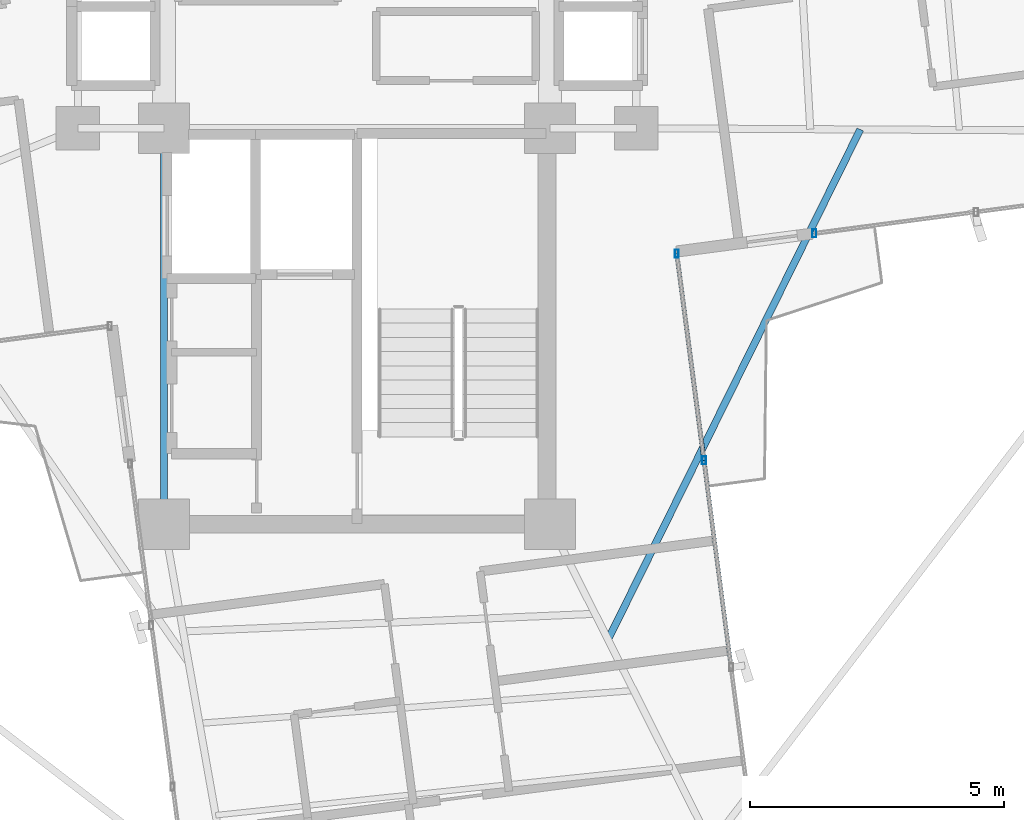
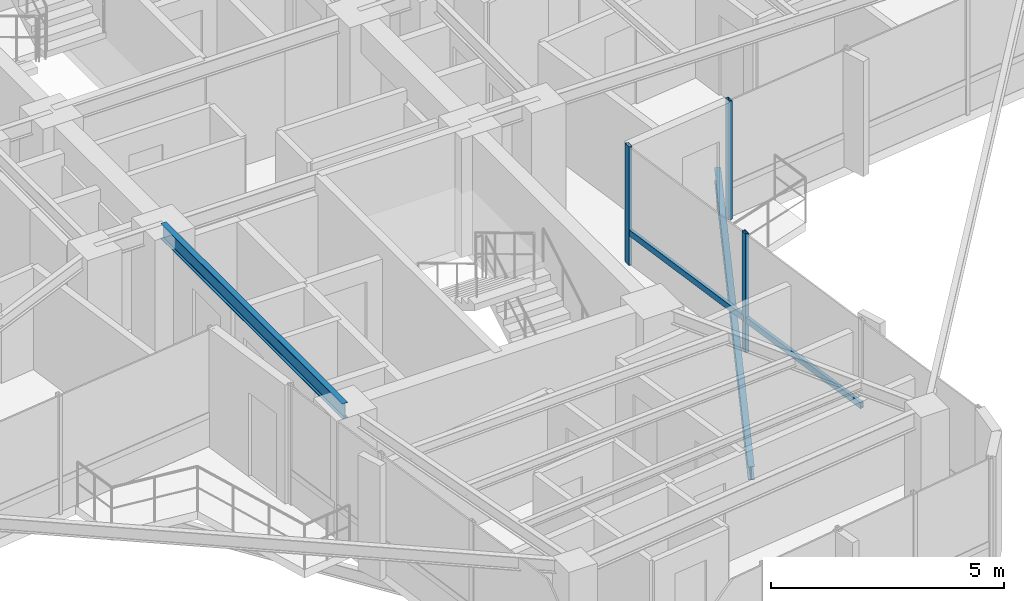
# One storey, part 5 of 23: 5 members, 2 beams, 2 elements without a shape of their own.
"""IFC4 building model written with IfcOpenShell, lengths in metres."""

import ifcopenshell
import ifcopenshell.guid

model = None  # the IFC model being written
_history = None  # IfcOwnerHistory: only IFC2X3 demands one
_inside = {}  # id of a spatial element -> (the spatial element, [elements in it])
_under = {}  # id of a project, library or spatial element -> (it, [spatial elements below it])
_declared = {}  # id of a project -> (the project, [libraries it declares])
_typed = {}  # id of a type object -> (the type object, [elements of that type])
_made_of = {}  # id of a material, layer set ... -> (it, [elements and type objects made of it])


def new_model(schema):
    """Start an empty IFC model of exactly this schema.

    Asked for "IFC4X3", IfcOpenShell would pick the latest addendum, in which some entities
    have other attributes; the version numbers below select the first issue.
    IFC2X3 requires an IfcOwnerHistory on every rooted entity: one is made here for all.
    """
    global model, _history
    if schema == "IFC4X3":
        model = ifcopenshell.file(schema_version=(4, 3, 0, 0))
    else:
        model = ifcopenshell.file(schema=schema)
    _inside.clear()
    _under.clear()
    _declared.clear()
    _typed.clear()
    _made_of.clear()
    _history = None
    if model.schema == "IFC2X3":
        org = make("IfcOrganization", Name="unknown")
        user = make(
            "IfcPersonAndOrganization",
            ThePerson=make("IfcPerson", FamilyName="unknown"),
            TheOrganization=org,
        )
        app = make(
            "IfcApplication",
            ApplicationDeveloper=org,
            Version="unknown",
            ApplicationFullName="unknown",
            ApplicationIdentifier="unknown",
        )
        _history = make(
            "IfcOwnerHistory",
            OwningUser=user,
            OwningApplication=app,
            ChangeAction="ADDED",
            CreationDate=0,
        )
    return model


def make(cls, **values):
    """One entity of the class cls with the attributes given. An attribute that is None is left unset."""
    return model.create_entity(
        cls, **{name: value for name, value in values.items() if value is not None}
    )


def rooted(cls, **values):
    """An entity with a GlobalId (a new one), such as an element, a storey or a relation."""
    return make(cls, GlobalId=ifcopenshell.guid.new(), OwnerHistory=_history, **values)


def si_unit(unit_type, name, prefix=None):
    """IfcSIUnit, for example si_unit("LENGTHUNIT", "METRE", prefix="MILLI")."""
    return make("IfcSIUnit", UnitType=unit_type, Prefix=prefix, Name=name)


def assignment(units):
    """IfcUnitAssignment: the units of a project."""
    return None if units is None else make("IfcUnitAssignment", Units=units)


def point(xyz):
    """IfcCartesianPoint."""
    return None if xyz is None else make("IfcCartesianPoint", Coordinates=xyz)


def direction(xyz):
    """IfcDirection."""
    return None if xyz is None else make("IfcDirection", DirectionRatios=xyz)


def frame(location, z_axis=None, x_axis=None):
    """IfcAxis2Placement3D, a coordinate frame: its origin and axes. An axis left out is left unset."""
    return make(
        "IfcAxis2Placement3D",
        Location=point(location),
        Axis=direction(z_axis),
        RefDirection=direction(x_axis),
    )


def frame_2d(location, x_axis=None):
    """IfcAxis2Placement2D, a coordinate frame in the plane: its origin and x axis."""
    return make(
        "IfcAxis2Placement2D", Location=point(location), RefDirection=direction(x_axis)
    )


def origin():
    """The frame at (0, 0, 0) with its axes left unset."""
    return frame((0.0, 0.0, 0.0))


def origin_2d():
    """The frame at (0, 0) in the plane with its x axis left unset."""
    return frame_2d((0.0, 0.0))


def place(relative_to, where):
    """IfcLocalPlacement: puts the frame where relative to a parent placement (None: the world)."""
    return make(
        "IfcLocalPlacement", PlacementRelTo=relative_to, RelativePlacement=where
    )


def context(
    kind, dimensions, precision=None, world=None, true_north=None, identifier=None
):
    """IfcGeometricRepresentationContext, for example the 3D "Model" context."""
    return make(
        "IfcGeometricRepresentationContext",
        ContextIdentifier=identifier,
        ContextType=kind,
        CoordinateSpaceDimension=dimensions,
        Precision=precision,
        WorldCoordinateSystem=world,
        TrueNorth=true_north,
    )


def subcontext(parent, identifier, kind, view, scale=None):
    """IfcGeometricRepresentationSubContext, for example "Body" below "Model"."""
    return make(
        "IfcGeometricRepresentationSubContext",
        ContextIdentifier=identifier,
        ContextType=kind,
        ParentContext=parent,
        TargetScale=scale,
        TargetView=view,
    )


def project(units=None, contexts=None):
    """IfcProject with its units and contexts."""
    return rooted(
        "IfcProject",
        Name="project",
        RepresentationContexts=contexts,
        UnitsInContext=assignment(units),
    )


def spatial(cls, under=None, at=None, **own):
    """A site, building, storey or space (cls), placed at a placement, below another one or the project."""
    s = rooted(cls, ObjectPlacement=at, **own)
    if under is not None:
        _under.setdefault(under.id(), (under, []))[1].append(s)
    return s


def profile(cls, at=None, kind="AREA", **sizes):
    """A parametric profile (cls). Its sizes go by their IFC names, for example OverallWidth=200.0."""
    return make(cls, ProfileType=kind, Position=at, **sizes)


def hollow_rectangle(**sizes):
    """IfcRectangleHollowProfileDef."""
    return profile("IfcRectangleHollowProfileDef", **sizes)


def i_section(**sizes):
    """IfcIShapeProfileDef."""
    return profile("IfcIShapeProfileDef", **sizes)


def extrude(swept, where, along, depth):
    """IfcExtrudedAreaSolid: the profile swept, set in the frame where, extruded along a direction by depth."""
    return make(
        "IfcExtrudedAreaSolid",
        SweptArea=swept,
        Position=where,
        ExtrudedDirection=direction(along),
        Depth=depth,
    )


def shape(context_of_items, identifier, shape_type, items):
    """IfcShapeRepresentation: the items that make up one representation, for example the "Body"."""
    return make(
        "IfcShapeRepresentation",
        ContextOfItems=context_of_items,
        RepresentationIdentifier=identifier,
        RepresentationType=shape_type,
        Items=items,
    )


def source(mapping_origin, context_of_items, identifier, shape_type, items):
    """IfcRepresentationMap: a shape defined once, which mapped items show again and again."""
    return make(
        "IfcRepresentationMap",
        MappingOrigin=mapping_origin,
        MappedRepresentation=shape(context_of_items, identifier, shape_type, items),
    )


def transform(
    local_origin,
    x_axis=None,
    y_axis=None,
    z_axis=None,
    scale=None,
    scale2=None,
    scale3=None,
    uniform=True,
):
    """IfcCartesianTransformationOperator3D, or its non-uniform kind. x_axis, y_axis, z_axis: its Axis1, 2, 3."""
    if uniform:
        return make(
            "IfcCartesianTransformationOperator3D",
            Axis1=direction(x_axis),
            Axis2=direction(y_axis),
            LocalOrigin=point(local_origin),
            Scale=scale,
            Axis3=direction(z_axis),
        )
    return make(
        "IfcCartesianTransformationOperator3DnonUniform",
        Axis1=direction(x_axis),
        Axis2=direction(y_axis),
        LocalOrigin=point(local_origin),
        Scale=scale,
        Axis3=direction(z_axis),
        Scale2=scale2,
        Scale3=scale3,
    )


def mapped(mapping_source, mapping_target):
    """IfcMappedItem: shows the shape of a source again, moved by a transform."""
    return make(
        "IfcMappedItem", MappingSource=mapping_source, MappingTarget=mapping_target
    )


def material(Name=None, Category=None):
    """IfcMaterial."""
    return make("IfcMaterial", Name=Name, Category=Category)


def material_profile(
    of_material, cross_section, Name=None, Category=None, Priority=None
):
    """IfcMaterialProfile: a cross section and its material."""
    return make(
        "IfcMaterialProfile",
        Name=Name,
        Material=of_material,
        Profile=cross_section,
        Priority=Priority,
        Category=Category,
    )


def profile_set(profiles, Name=None, composite=None):
    """IfcMaterialProfileSet."""
    return make(
        "IfcMaterialProfileSet",
        Name=Name,
        MaterialProfiles=profiles,
        CompositeProfile=composite,
    )


def made_of(thing, what):
    """Note that an element or type object is made of a material, layer set ...; save() writes the relation."""
    if what is not None:
        _made_of.setdefault(what.id(), (what, []))[1].append(thing)
    return thing


def type_object(cls, material=None, **own):
    """A type object (cls), such as IfcWallType, which elements share."""
    return made_of(rooted(cls, **own), material)


def element(
    cls,
    number,
    at=None,
    inside=None,
    cuts=None,
    type_object=None,
    material=None,
    context=None,
    identifier="Body",
    shape_type=None,
    held_by="IfcProductDefinitionShape",
    body=None,
    shapes=None,
    **own,
):
    """One element of the class cls, such as IfcWall. Its Tag is "e" and its number.

    at: its placement. inside: the storey or other place that contains it. cuts: it is an
    opening in that element (IfcRelVoidsElement). A single representation is given by context,
    identifier, shape_type and body (its items); several are given by shapes. held_by: the class
    of the entity that holds the representations. save() writes the other relations.
    """
    e = rooted(cls, Tag="e%d" % number, ObjectPlacement=at, **own)
    if body is not None:
        shapes = [shape(context, identifier, shape_type, body)]
    if shapes is not None:
        e.Representation = make(held_by, Representations=shapes)
    if inside is not None:
        _inside.setdefault(inside.id(), (inside, []))[1].append(e)
    if cuts is not None:
        rooted(
            "IfcRelVoidsElement", RelatingBuildingElement=cuts, RelatedOpeningElement=e
        )
    if type_object is not None:
        _typed.setdefault(type_object.id(), (type_object, []))[1].append(e)
    return made_of(e, material)


def aggregate(whole, parts):
    """IfcRelAggregates: a whole, such as a stair, and the parts it consists of."""
    return rooted("IfcRelAggregates", RelatingObject=whole, RelatedObjects=parts)


def save(model, path):
    """Write the relations noted so far, then the file.

    IfcRelAggregates (storeys below a building ...), IfcRelContainedInSpatialStructure (elements
    in a storey), IfcRelDefinesByType, IfcRelAssociatesMaterial and IfcRelDeclares: one each for
    every whole, place, type object, material and project.
    """
    for whole, parts in _under.values():
        aggregate(whole, parts)
    for where, things in _inside.values():
        rooted(
            "IfcRelContainedInSpatialStructure",
            RelatedElements=things,
            RelatingStructure=where,
        )
    for kind, things in _typed.values():
        rooted("IfcRelDefinesByType", RelatedObjects=things, RelatingType=kind)
    for what, things in _made_of.values():
        rooted("IfcRelAssociatesMaterial", RelatedObjects=things, RelatingMaterial=what)
    for by, libraries in _declared.values():
        rooted("IfcRelDeclares", RelatingContext=by, RelatedDefinitions=libraries)
    model.write(path)


model = new_model("IFC4")

# Units and contexts
model_context = context("Model", 3, precision=1e-05, world=origin(), true_north=direction((0.0, 1.0)))
body_context = subcontext(model_context, "Body", "Model", "MODEL_VIEW")
ifc_project = project(units=[si_unit("LENGTHUNIT", "METRE"), si_unit("AREAUNIT", "SQUARE_METRE"), si_unit("VOLUMEUNIT", "CUBIC_METRE"), si_unit("PLANEANGLEUNIT", "RADIAN"), si_unit("MASSUNIT", "GRAM", prefix="KILO")], contexts=[model_context])

# Site, building, storey
site_placement = place(None, origin())
site = spatial("IfcSite", under=ifc_project, at=site_placement, CompositionType="ELEMENT")
building_placement = place(site_placement, origin())
building = spatial("IfcBuilding", under=site, at=building_placement, Name="Sahyath Konkavel Grand Hotel", CompositionType="ELEMENT")
storey_placement = place(building_placement, frame((0.0, 0.0, 251.199951171875)))
storey = spatial("IfcBuildingStorey", under=building, at=storey_placement, Name="L70", CompositionType="ELEMENT", Elevation=251.199951171875)

# Beam
ifc_material_1 = material(Name="Steel E350", Category="steel")
ifc_material_profile_1 = material_profile(ifc_material_1, i_section(OverallWidth=0.139892578125, OverallDepth=0.39990234375, WebThickness=0.0087890625, FlangeThickness=0.01611328125, FilletRadius=0.013916015625, at=origin_2d()), Name="ISMB 400")
ifc_profile_set_1 = profile_set([ifc_material_profile_1], Name="Steel E350")
beam_type_1 = type_object("IfcBeamType", Name="BM-ISMB400", PredefinedType="BEAM", material=ifc_profile_set_1)
shared_shape_1 = source(origin(), body_context, "Body", "SweptSolid", [
    extrude(i_section(OverallWidth=0.139892578125, OverallDepth=0.39990234375, WebThickness=0.0087890625, FlangeThickness=0.01611328125, FilletRadius=0.013916015625, at=origin_2d()), origin(), (0.0, 0.0, 1.0), 7.800048828125),
])
beam_1_placement = place(storey_placement, frame((-3.800048828125, -10.199951171875, 2.91015625), z_axis=(0.0, 1.0, 0.0), x_axis=(-1.0, 0.0, 0.0)))
element("IfcBeam", 1, at=beam_1_placement, inside=storey, type_object=beam_type_1, Name="str:bm:L70:SC-W", PredefinedType="BEAM", context=body_context, shape_type="MappedRepresentation", body=[
    mapped(shared_shape_1, transform((0.0, 0.0, 0.0), scale=1.0)),
])

# Curtain wall, member
ifc_material_2 = material(Name="Anodised Bronze Aluminium & Low-E Glazing", Category="aluminium")
curtain_wall_type = type_object("IfcCurtainWallType", Name="CW-ZONE4", PredefinedType="NOTDEFINED", material=ifc_material_2)
curtain_wall_1_placement = place(storey_placement, origin())
curtain_wall_1 = element("IfcCurtainWall", 2, at=curtain_wall_1_placement, inside=storey, type_object=curtain_wall_type, Name="L70 Unitised Curtain Wall F0", PredefinedType="NOTDEFINED")
ifc_material_3 = material(Name="Anodised Bronze Aluminium", Category="aluminium")
ifc_material_profile_2 = material_profile(ifc_material_3, hollow_rectangle(XDim=0.080078125, YDim=0.159912109375, WallThickness=0.006103515625, at=origin_2d()), Name="RHS 160x80x6")
ifc_profile_set_2 = profile_set([ifc_material_profile_2], Name="Anodised Bronze Aluminium")
member_type_1 = type_object("IfcMemberType", Name="CW-MUL-160", PredefinedType="MULLION", material=ifc_profile_set_2)
shared_shape_2 = source(origin(), body_context, "Body", "SweptSolid", [
    extrude(hollow_rectangle(XDim=0.080078125, YDim=0.159912109375, WallThickness=0.006103515625, at=origin_2d()), origin(), (0.0, 0.0, 1.0), 3.110107421875),
])
member_1_placement = place(storey_placement, frame((9.008544921875, -4.470458984375, 0.0), z_axis=(0.0, 0.0, 1.0), x_axis=(1.0, 0.0, 0.0)))
member_1 = element("IfcMember", 3, at=member_1_placement, type_object=member_type_1, Name="L70 Curtain Wall Mullion F0-0", PredefinedType="MULLION", context=body_context, shape_type="MappedRepresentation", body=[
    mapped(shared_shape_2, transform((0.0, 0.0, 0.0), scale=1.0)),
])
aggregate(curtain_wall_1, [member_1])

# Curtain wall, members
curtain_wall_2_placement = place(storey_placement, origin())
curtain_wall_2 = element("IfcCurtainWall", 4, at=curtain_wall_2_placement, inside=storey, type_object=curtain_wall_type, Name="L70 Unitised Curtain Wall F31", PredefinedType="NOTDEFINED")
member_2_placement = place(storey_placement, frame((6.83349609375, -8.942138671875, 0.0), z_axis=(0.0, 0.0, 1.0), x_axis=(1.0, 0.0, 0.0)))
member_2 = element("IfcMember", 5, at=member_2_placement, type_object=member_type_1, Name="L70 Curtain Wall Mullion F31-2", PredefinedType="MULLION", context=body_context, shape_type="MappedRepresentation", body=[
    mapped(shared_shape_2, transform((0.0, 0.0, 0.0), scale=1.0)),
])
member_3_placement = place(storey_placement, frame((6.297119140625, -4.86767578125, 0.0), z_axis=(0.0, 0.0, 1.0), x_axis=(1.0, 0.0, 0.0)))
member_3 = element("IfcMember", 6, at=member_3_placement, type_object=member_type_1, Name="L70 Curtain Wall Mullion F31-3", PredefinedType="MULLION", context=body_context, shape_type="MappedRepresentation", body=[
    mapped(shared_shape_2, transform((0.0, 0.0, 0.0), scale=1.0)),
])
ifc_material_profile_3 = material_profile(ifc_material_3, hollow_rectangle(XDim=0.080078125, YDim=0.159912109375, WallThickness=0.006103515625, at=origin_2d()), Name="RHS 160x80x6")
ifc_profile_set_3 = profile_set([ifc_material_profile_3], Name="Anodised Bronze Aluminium")
member_type_2 = type_object("IfcMemberType", Name="CW-TRN-160", PredefinedType="USERDEFINED", material=ifc_profile_set_3)
shared_shape_3 = source(origin(), body_context, "Body", "SweptSolid", [
    extrude(hollow_rectangle(XDim=0.080078125, YDim=0.159912109375, WallThickness=0.006103515625, at=origin_2d()), origin(), (0.0, 0.0, 1.0), 4.109619140625),
])
member_4_placement = place(storey_placement, frame((7.3701171875, -13.0166015625, 0.85009765625), z_axis=(-0.130575913156, 0.99143831422, 0.0), x_axis=(-0.99143831422, -0.130575913156, 0.0)))
member_4 = element("IfcMember", 7, at=member_4_placement, type_object=member_type_2, Name="L70 Curtain Wall Transom F31-1-spandrel", ObjectType="TRANSOM", PredefinedType="USERDEFINED", context=body_context, shape_type="MappedRepresentation", body=[
    mapped(shared_shape_3, transform((0.0, 0.0, 0.0), scale=1.0)),
])
member_5_placement = place(storey_placement, frame((6.83349609375, -8.942138671875, 0.85009765625), z_axis=(-0.130517518671, 0.99144600323, 0.0), x_axis=(-0.99144600323, -0.130517518671, 0.0)))
member_5 = element("IfcMember", 8, at=member_5_placement, type_object=member_type_2, Name="L70 Curtain Wall Transom F31-2-spandrel", ObjectType="TRANSOM", PredefinedType="USERDEFINED", context=body_context, shape_type="MappedRepresentation", body=[
    mapped(shared_shape_3, transform((0.0, 0.0, 0.0), scale=1.0)),
])
aggregate(curtain_wall_2, [member_2, member_3, member_4, member_5])

# Beam
ifc_material_profile_4 = material_profile(ifc_material_1, i_section(OverallWidth=0.139892578125, OverallDepth=0.35009765625, WebThickness=0.008056640625, FlangeThickness=0.01416015625, FilletRadius=0.013916015625, at=origin_2d()), Name="ISMB 350")
ifc_profile_set_4 = profile_set([ifc_material_profile_4], Name="Steel E350")
beam_type_2 = type_object("IfcBeamType", Name="BM-BALC-CANT", PredefinedType="BEAM", material=ifc_profile_set_4)
shared_shape_4 = source(origin(), body_context, "Body", "SweptSolid", [
    extrude(i_section(OverallWidth=0.139892578125, OverallDepth=0.35009765625, WebThickness=0.008056640625, FlangeThickness=0.01416015625, FilletRadius=0.013916015625, at=origin_2d()), origin(), (0.0, 0.0, 1.0), 11.20849609375),
])
beam_2_placement = place(storey_placement, frame((4.944091796875, -12.4716796875, -0.4150390625), z_axis=(0.443175034558, 0.89643510013, 0.0), x_axis=(-0.89643510013, 0.443175034558, 0.0)))
element("IfcBeam", 9, at=beam_2_placement, inside=storey, type_object=beam_type_2, Name="L70 Balcony Cantilever Support Beam SE", PredefinedType="BEAM", context=body_context, shape_type="MappedRepresentation", body=[
    mapped(shared_shape_4, transform((0.0, 0.0, 0.0), scale=1.0)),
])

save(model, "model.ifc")
